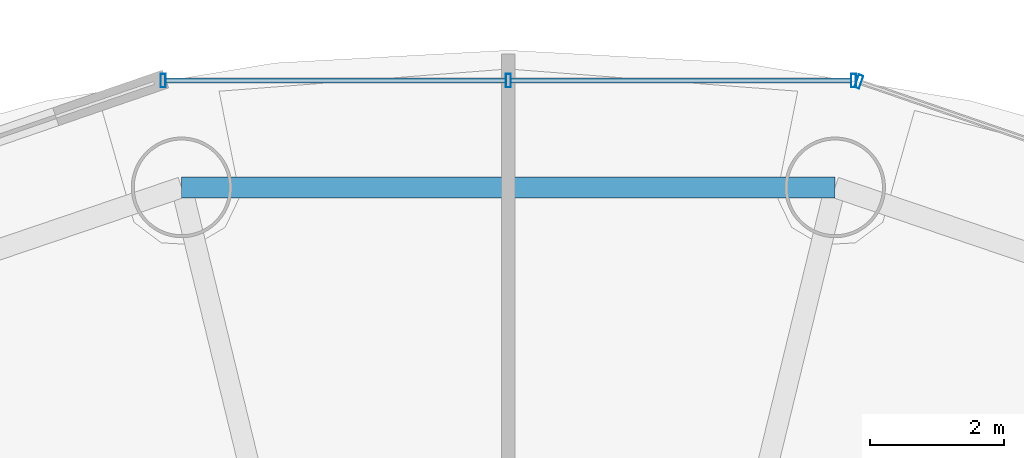
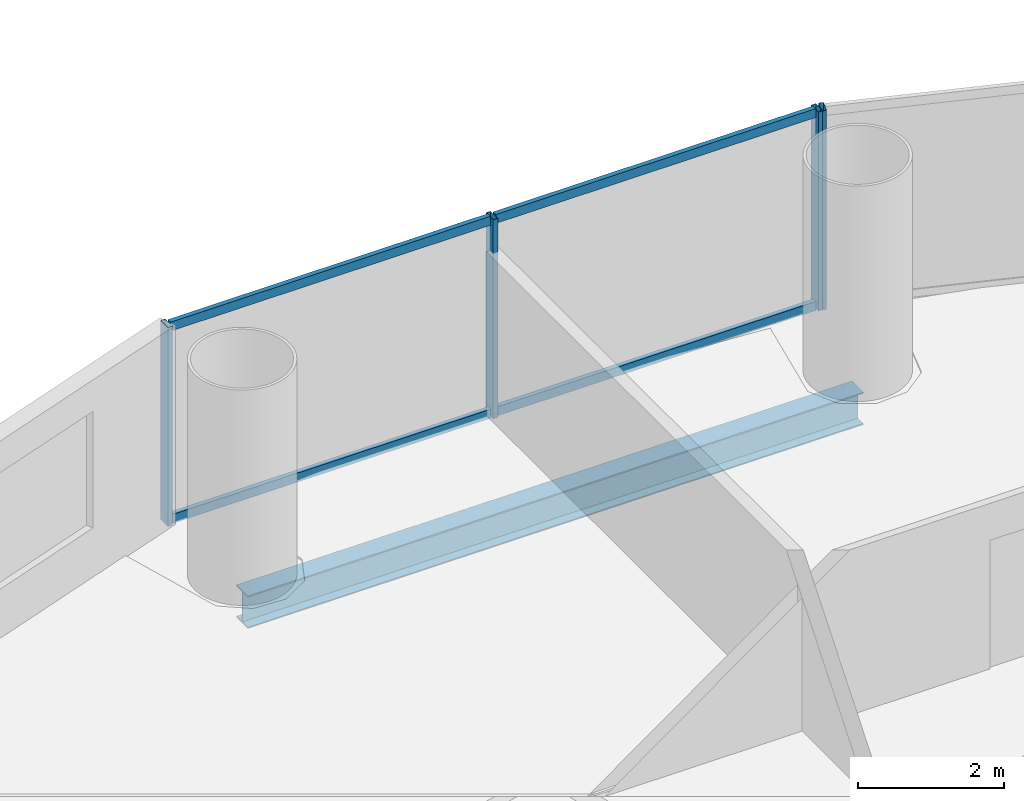
# One storey, part 18 of 29: 8 members, 1 beam, 2 elements without a shape of their own.
"""IFC4 building model written with IfcOpenShell, lengths in metres."""

from ifc_helpers import new_model, si_unit, direction, frame, origin, origin_2d, place, context, subcontext, project, spatial, hollow_rectangle, i_section, extrude, source, transform, mapped, material, material_profile, profile_set, type_object, element, aggregate, save


model = new_model("IFC4")

# Units and contexts
model_context = context("Model", 3, precision=1e-05, world=origin(), true_north=direction((-0.2419218956, 0.970295726276)))
body_context = subcontext(model_context, "Body", "Model", "MODEL_VIEW")
ifc_project = project(units=[si_unit("LENGTHUNIT", "METRE"), si_unit("AREAUNIT", "SQUARE_METRE"), si_unit("VOLUMEUNIT", "CUBIC_METRE"), si_unit("PLANEANGLEUNIT", "RADIAN"), si_unit("MASSUNIT", "GRAM", prefix="KILO")], contexts=[model_context])

# Site, building, storey
site_placement = place(None, origin())
site = spatial("IfcSite", under=ifc_project, at=site_placement, CompositionType="ELEMENT")
building_placement = place(site_placement, origin())
building = spatial("IfcBuilding", under=site, at=building_placement, Name="Cobrevalo Terracotta Tower", CompositionType="ELEMENT")
storey_placement = place(building_placement, frame((0.0, 0.0, 83.39990234375)))
storey = spatial("IfcBuildingStorey", under=building, at=storey_placement, Name="L21", CompositionType="ELEMENT", Elevation=83.39990234375)

# Beam
ifc_material_1 = material(Name="Steel S355", Category="steel")
ifc_material_profile_1 = material_profile(ifc_material_1, i_section(OverallWidth=0.31201171875, OverallDepth=0.54296875, WebThickness=0.0126953125, FlangeThickness=0.020263671875, at=origin_2d()), Name="W 530x150")
ifc_profile_set_1 = profile_set([ifc_material_profile_1], Name="Steel S355")
beam_type = type_object("IfcBeamType", Name="Structural Spandrel W 530x150 (Steel S355)", PredefinedType="SPANDREL", material=ifc_profile_set_1)
beam_placement = place(storey_placement, frame((42.867431640625, 46.857177734375, -0.54638671875), z_axis=(-1.0, 0.0, 0.0), x_axis=(0.0, -1.0, 0.0)))
element("IfcBeam", 1, at=beam_placement, inside=storey, type_object=beam_type, Name="L21 perimeter ring spandrel 04", PredefinedType="SPANDREL", context=body_context, shape_type="SweptSolid", body=[
    extrude(i_section(OverallWidth=0.31201171875, OverallDepth=0.54296875, WebThickness=0.0126953125, FlangeThickness=0.020263671875, at=origin_2d()), origin(), (0.0, 0.0, 1.0), 9.73486328125),
])

# Curtain wall, members
ifc_material_2 = material(Name="Anodized aluminium", Category="aluminium")
curtain_wall_type = type_object("IfcCurtainWallType", Name="Lower-tower unitised acoustic low-E curtain wall CW-U1", PredefinedType="NOTDEFINED", material=ifc_material_2)
curtain_wall_1_placement = place(storey_placement, origin())
curtain_wall_1 = element("IfcCurtainWall", 2, at=curtain_wall_1_placement, inside=storey, type_object=curtain_wall_type, Name="L21 curtain wall CW-L21-S04", PredefinedType="NOTDEFINED")
ifc_material_profile_2 = material_profile(ifc_material_2, hollow_rectangle(XDim=0.074951171875, YDim=0.14990234375, WallThickness=0.00439453125, at=origin_2d()), Name="CWT 75x150")
ifc_profile_set_2 = profile_set([ifc_material_profile_2], Name="Anodized aluminium")
member_type_1 = type_object("IfcMemberType", Name="Tower unitised aluminium transom 75x150", PredefinedType="USERDEFINED", material=ifc_profile_set_2)
shared_shape_1 = source(origin(), body_context, "Body", "SweptSolid", [
    extrude(hollow_rectangle(XDim=0.074951171875, YDim=0.14990234375, WallThickness=0.00439453125, at=origin_2d()), origin(), (0.0, 0.0, 1.0), 5.0634765625),
])
member_1_placement = place(storey_placement, frame((43.103515625, 48.446044921875, 0.050048828125), z_axis=(-1.0, 0.0, 0.0), x_axis=(0.0, -1.0, 0.0)))
member_1 = element("IfcMember", 3, at=member_1_placement, type_object=member_type_1, Name="CW-L21-S04 transom B01-T1", ObjectType="TRANSOM", PredefinedType="USERDEFINED", context=body_context, shape_type="MappedRepresentation", body=[
    mapped(shared_shape_1, transform((0.0, 0.0, 0.0), scale=1.0)),
])
member_2_placement = place(storey_placement, frame((43.103515625, 48.446044921875, 3.275146484375), z_axis=(-1.0, 0.0, 0.0), x_axis=(0.0, -1.0, 0.0)))
member_2 = element("IfcMember", 4, at=member_2_placement, type_object=member_type_1, Name="CW-L21-S04 transom B01-T2", ObjectType="TRANSOM", PredefinedType="USERDEFINED", context=body_context, shape_type="MappedRepresentation", body=[
    mapped(shared_shape_1, transform((0.0, 0.0, 0.0), scale=1.0)),
])
member_3_placement = place(storey_placement, frame((37.9599609375, 48.446044921875, 0.050048828125), z_axis=(-1.0, 0.0, 0.0), x_axis=(0.0, -1.0, 0.0)))
member_3 = element("IfcMember", 5, at=member_3_placement, type_object=member_type_1, Name="CW-L21-S04 transom B02-T1", ObjectType="TRANSOM", PredefinedType="USERDEFINED", context=body_context, shape_type="MappedRepresentation", body=[
    mapped(shared_shape_1, transform((0.0, 0.0, 0.0), scale=1.0)),
])
member_4_placement = place(storey_placement, frame((37.9599609375, 48.446044921875, 3.275146484375), z_axis=(-1.0, 0.0, 0.0), x_axis=(0.0, -1.0, 0.0)))
member_4 = element("IfcMember", 6, at=member_4_placement, type_object=member_type_1, Name="CW-L21-S04 transom B02-T2", ObjectType="TRANSOM", PredefinedType="USERDEFINED", context=body_context, shape_type="MappedRepresentation", body=[
    mapped(shared_shape_1, transform((0.0, 0.0, 0.0), scale=1.0)),
])

# Curtain wall, member
curtain_wall_2_placement = place(storey_placement, origin())
curtain_wall_2 = element("IfcCurtainWall", 7, at=curtain_wall_2_placement, inside=storey, type_object=curtain_wall_type, Name="L21 curtain wall CW-L21-S03", PredefinedType="NOTDEFINED")
ifc_material_profile_3 = material_profile(ifc_material_2, hollow_rectangle(XDim=0.074951171875, YDim=0.199951171875, WallThickness=0.0048828125, at=origin_2d()), Name="CWM 75x200")
ifc_profile_set_3 = profile_set([ifc_material_profile_3], Name="Anodized aluminium")
member_type_2 = type_object("IfcMemberType", Name="Lower/mid tower unitised mullion 75x200", PredefinedType="MULLION", material=ifc_profile_set_3)
shared_shape_2 = source(origin(), body_context, "Body", "SweptSolid", [
    extrude(hollow_rectangle(XDim=0.074951171875, YDim=0.199951171875, WallThickness=0.0048828125, at=origin_2d()), origin(), (0.0, 0.0, 1.0), 3.3251953125),
])
member_5_placement = place(storey_placement, frame((43.221435546875, 48.432861328125, 0.0), z_axis=(0.0, 0.0, 1.0), x_axis=(-0.94559809868, 0.325337110968, 0.0)))
member_5 = element("IfcMember", 8, at=member_5_placement, type_object=member_type_2, Name="CW-L21-S03 vertical mullion 03", PredefinedType="MULLION", context=body_context, shape_type="MappedRepresentation", body=[
    mapped(shared_shape_2, transform((0.0, 0.0, 0.0), scale=1.0)),
])
aggregate(curtain_wall_2, [member_5])

# Member
member_6_placement = place(storey_placement, frame((43.1435546875, 48.446044921875, 0.0), z_axis=(0.0, 0.0, 1.0), x_axis=(-1.0, 0.0, 0.0)))
member_6 = element("IfcMember", 9, at=member_6_placement, type_object=member_type_2, Name="CW-L21-S04 vertical mullion 01", PredefinedType="MULLION", context=body_context, shape_type="MappedRepresentation", body=[
    mapped(shared_shape_2, transform((0.0, 0.0, 0.0), scale=1.0)),
])

member_7_placement = place(storey_placement, frame((38.0, 48.446044921875, 0.0), z_axis=(0.0, 0.0, 1.0), x_axis=(-1.0, 0.0, 0.0)))
member_7 = element("IfcMember", 10, at=member_7_placement, type_object=member_type_2, Name="CW-L21-S04 vertical mullion 02", PredefinedType="MULLION", context=body_context, shape_type="MappedRepresentation", body=[
    mapped(shared_shape_2, transform((0.0, 0.0, 0.0), scale=1.0)),
])

member_8_placement = place(storey_placement, frame((32.8564453125, 48.446044921875, 0.0), z_axis=(0.0, 0.0, 1.0), x_axis=(-1.0, 0.0, 0.0)))
member_8 = element("IfcMember", 11, at=member_8_placement, type_object=member_type_2, Name="CW-L21-S04 vertical mullion 03", PredefinedType="MULLION", context=body_context, shape_type="MappedRepresentation", body=[
    mapped(shared_shape_2, transform((0.0, 0.0, 0.0), scale=1.0)),
])

aggregate(curtain_wall_1, [member_6, member_7, member_8, member_1, member_2, member_3, member_4])

save(model, "model.ifc")
